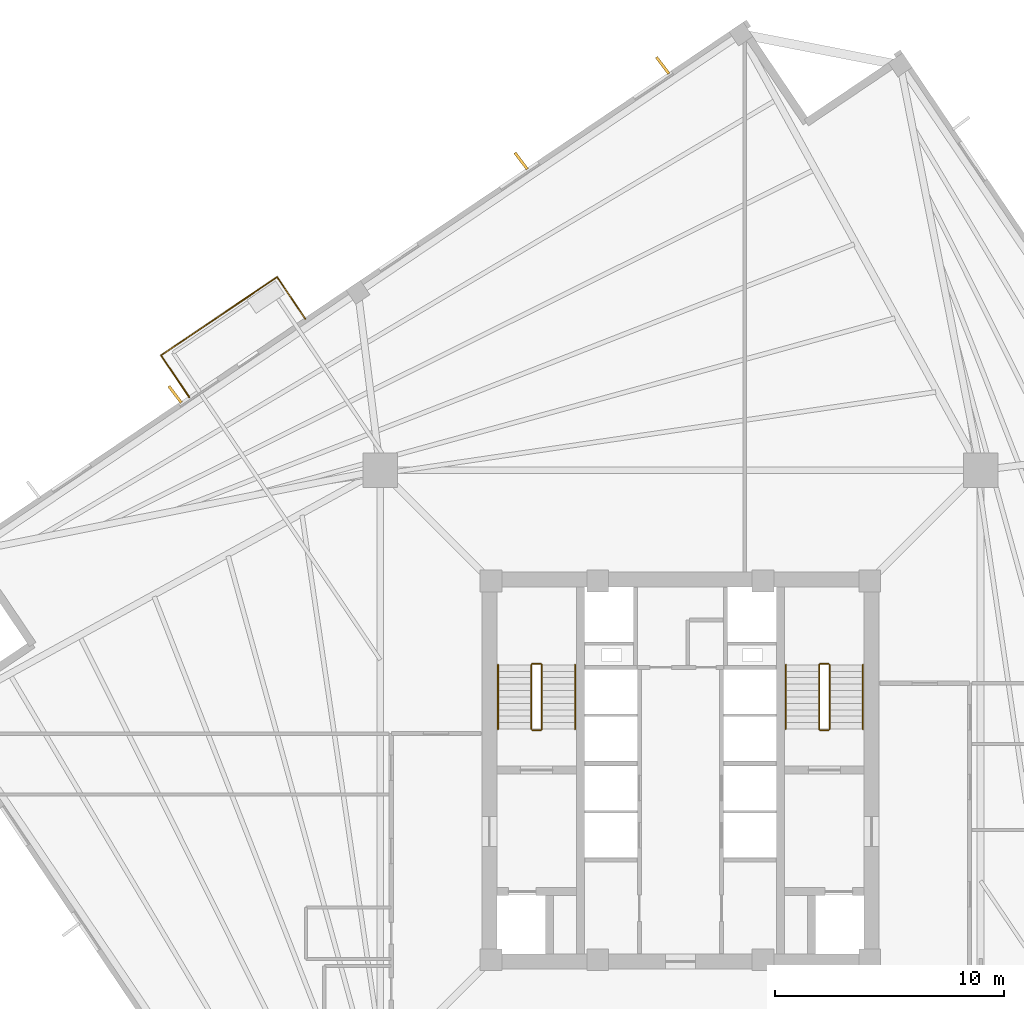
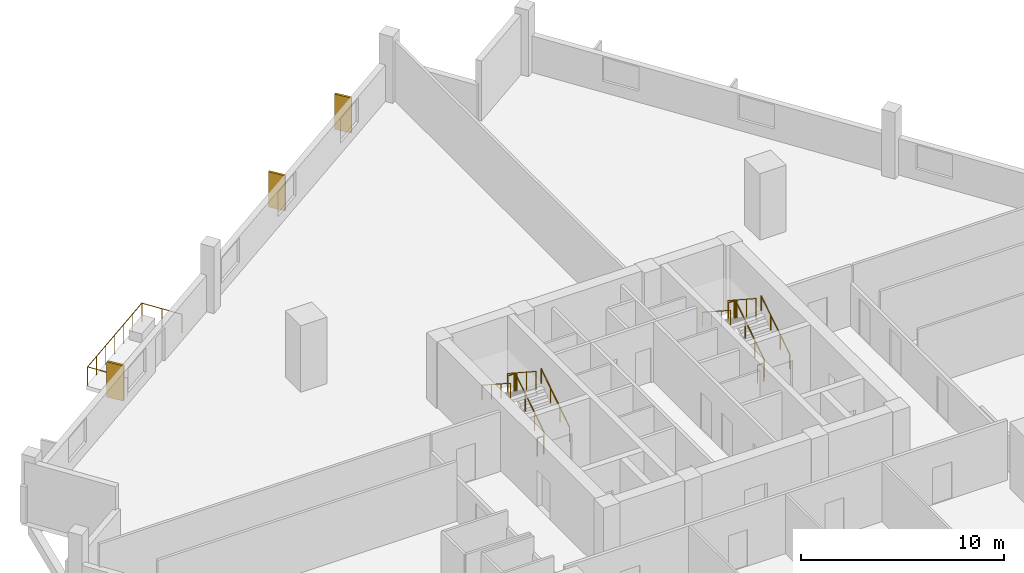
# One storey, part 7 of 8: 15 railings, 3 coverings.
"""IFC4 building model written with IfcOpenShell, lengths in metres."""

from ifc_helpers import new_model, si_unit, direction, frame, origin, origin_2d, place, context, subcontext, project, spatial, rectangle, circle, extrude, source, transform, mapped, material, layer, layer_set, type_object, element, save


model = new_model("IFC4")

# Units and contexts
model_context = context("Model", 3, precision=1e-05, world=origin(), true_north=direction((0.0, 1.0)))
body_context = subcontext(model_context, "Body", "Model", "MODEL_VIEW")
ifc_project = project(units=[si_unit("LENGTHUNIT", "METRE"), si_unit("AREAUNIT", "SQUARE_METRE"), si_unit("VOLUMEUNIT", "CUBIC_METRE"), si_unit("PLANEANGLEUNIT", "RADIAN"), si_unit("MASSUNIT", "GRAM", prefix="KILO"), si_unit("THERMODYNAMICTEMPERATUREUNIT", "KELVIN")], contexts=[model_context])

# Site, building, storey
site_placement = place(None, origin())
site = spatial("IfcSite", under=ifc_project, at=site_placement, CompositionType="ELEMENT")
building_placement = place(site_placement, origin())
building = spatial("IfcBuilding", under=site, at=building_placement, Name="Kosmvard Interchange Tower", CompositionType="ELEMENT")
storey_placement = place(building_placement, frame((0.0, 0.0, 196.39990234375)))
storey = spatial("IfcBuildingStorey", under=building, at=storey_placement, Name="L47", CompositionType="ELEMENT", Elevation=196.39990234375)

# Coverings
ifc_material_1 = material(Name="Architectural anodised aluminium", Category="aluminium")
ifc_layer = layer(ifc_material_1, 0.1201171875, Name="Architectural anodised aluminium")
ifc_layer_set = layer_set([ifc_layer], Name="Architectural anodised aluminium")
covering_type = type_object("IfcCoveringType", Name="Rotating Vertical Sun-Breaker Fin 900x120 Aluminium", PredefinedType="CLADDING", material=ifc_layer_set)
shared_shape_1 = source(origin(), body_context, "Body", "SweptSolid", [
    extrude(rectangle(XDim=0.89990234375, YDim=0.1201171875, at=origin_2d()), origin(), (0.0, 0.0, 1.0), 2.1201171875),
])
for number, where, z_axis, x_axis, name in (
    (1, (-0.774169921875, 30.718994140625, 0.0400390625), (0.0, 0.0, 1.0), (-0.60083885691, 0.799370169588, 0.0), "L47 Rotating Vertical Sun-Breaker Fin 09"),
    (2, (-6.943115234375, 26.557861328125, 0.0400390625), (0.0, 0.0, 1.0), (-0.60083885691, 0.799370169588, 0.0), "L47 Rotating Vertical Sun-Breaker Fin 10"),
    (3, (-22.02294921875, 16.38623046875, 0.0400390625), (0.0, 0.0, 1.0), (-0.60083885691, 0.799370169588, 0.0), "L47 Rotating Vertical Sun-Breaker Fin 11"),
):
    element("IfcCovering", number, at=place(storey_placement, frame(where, z_axis=z_axis, x_axis=x_axis)), inside=storey, type_object=covering_type, Name=name, PredefinedType="CLADDING", context=body_context, shape_type="MappedRepresentation", body=[
        mapped(shared_shape_1, transform((0.0, 0.0, 0.0), scale=1.0)),
    ])

# Railings
ifc_material_2 = material(Name="Steel S355", Category="steel")
railing_type_1 = type_object("IfcRailingType", Name="Observation & Balcony Glass-Infill Balustrade 1150", PredefinedType="BALUSTRADE", material=ifc_material_2)
shared_shape_2 = source(origin(), body_context, "Body", "SweptSolid", [
    extrude(circle(Radius=0.02392578125, at=origin_2d()), frame((0.0, 0.0, 1.1259765625), z_axis=(0.559173597279, -0.829050594418, 0.0), x_axis=(0.829050594418, 0.559173597279, 0.0)), (0.0, 0.0, 1.0), 2.2001953125),
    extrude(circle(Radius=0.02099609375, at=origin_2d()), origin(), (0.0, 0.0, 1.0), 1.101806640625),
    extrude(circle(Radius=0.02099609375, at=origin_2d()), frame((0.615234375, -0.912109375, 0.0)), (0.0, 0.0, 1.0), 1.101806640625),
    extrude(circle(Radius=0.02099609375, at=origin_2d()), frame((1.230224609375, -1.823974609375, 0.0)), (0.0, 0.0, 1.0), 1.101806640625),
])
railing_1_placement = place(storey_placement, frame((-22.6328125, 18.0859375, 0.0)))
element("IfcRailing", 4, at=railing_1_placement, inside=storey, type_object=railing_type_1, Name="L47 Outdoor Terrace Guard BAL-L47-NE-C", PredefinedType="BALUSTRADE", context=body_context, shape_type="MappedRepresentation", body=[
    mapped(shared_shape_2, transform((0.0, 0.0, 0.0), scale=1.0)),
])
shared_shape_3 = source(origin(), body_context, "Body", "SweptSolid", [
    extrude(circle(Radius=0.02392578125, at=origin_2d()), frame((0.0, 0.0, 1.1259765625), z_axis=(-0.559173597279, 0.829050594418, 0.0), x_axis=(-0.829050594418, -0.559173597279, 0.0)), (0.0, 0.0, 1.0), 2.2001953125),
    extrude(circle(Radius=0.02099609375, at=origin_2d()), origin(), (0.0, 0.0, 1.0), 1.101806640625),
    extrude(circle(Radius=0.02099609375, at=origin_2d()), frame((-0.615234375, 0.912109375, 0.0)), (0.0, 0.0, 1.0), 1.101806640625),
    extrude(circle(Radius=0.02099609375, at=origin_2d()), frame((-1.230224609375, 1.823974609375, 0.0)), (0.0, 0.0, 1.0), 1.101806640625),
])
railing_2_placement = place(storey_placement, frame((-16.345458984375, 19.673095703125, 0.0)))
element("IfcRailing", 5, at=railing_2_placement, inside=storey, type_object=railing_type_1, Name="L47 Outdoor Terrace Guard BAL-L47-NE-A", PredefinedType="BALUSTRADE", context=body_context, shape_type="MappedRepresentation", body=[
    mapped(shared_shape_3, transform((0.0, 0.0, 0.0), scale=1.0)),
])
shared_shape_4 = source(origin(), body_context, "Body", "SweptSolid", [
    extrude(circle(Radius=0.02392578125, at=origin_2d()), frame((0.0, 0.0, 1.1259765625), z_axis=(-0.829033294248, -0.55919924627, 0.0), x_axis=(0.55919924627, -0.829033294248, 0.0)), (0.0, 0.0, 1.0), 6.10009765625),
    extrude(circle(Radius=0.02099609375, at=origin_2d()), origin(), (0.0, 0.0, 1.0), 1.101806640625),
    extrude(circle(Radius=0.02099609375, at=origin_2d()), frame((-0.8427734375, -0.568603515625, 0.0)), (0.0, 0.0, 1.0), 1.101806640625),
    extrude(circle(Radius=0.02099609375, at=origin_2d()), frame((-1.685791015625, -1.136962890625, 0.0)), (0.0, 0.0, 1.0), 1.101806640625),
    extrude(circle(Radius=0.02099609375, at=origin_2d()), frame((-2.528564453125, -1.70556640625, 0.0)), (0.0, 0.0, 1.0), 1.101806640625),
    extrude(circle(Radius=0.02099609375, at=origin_2d()), frame((-3.371337890625, -2.274169921875, 0.0)), (0.0, 0.0, 1.0), 1.101806640625),
    extrude(circle(Radius=0.02099609375, at=origin_2d()), frame((-4.21435546875, -2.842529296875, 0.0)), (0.0, 0.0, 1.0), 1.101806640625),
    extrude(circle(Radius=0.02099609375, at=origin_2d()), frame((-5.05712890625, -3.4111328125, 0.0)), (0.0, 0.0, 1.0), 1.101806640625),
])
railing_3_placement = place(storey_placement, frame((-17.57568359375, 21.4970703125, 0.0)))
element("IfcRailing", 6, at=railing_3_placement, inside=storey, type_object=railing_type_1, Name="L47 Outdoor Terrace Guard BAL-L47-NE-B", PredefinedType="BALUSTRADE", context=body_context, shape_type="MappedRepresentation", body=[
    mapped(shared_shape_4, transform((0.0, 0.0, 0.0), scale=1.0)),
])
railing_type_2 = type_object("IfcRailingType", Name="Stair & Terrace Safety Guardrail 1100 Steel", PredefinedType="GUARDRAIL", material=ifc_material_2)
shared_shape_5 = source(origin(), body_context, "Body", "SweptSolid", [
    extrude(circle(Radius=0.02392578125, at=origin_2d()), frame((0.0, 0.0, 1.076171875), z_axis=(-1.0, 0.0, 0.0), x_axis=(0.0, -1.0, 0.0)), (0.0, 0.0, 1.0), 0.35986328125),
    extrude(circle(Radius=0.02099609375, at=origin_2d()), origin(), (0.0, 0.0, 1.0), 1.052001953125),
    extrude(circle(Radius=0.02099609375, at=origin_2d()), frame((-0.35986328125, 0.0, 0.0)), (0.0, 0.0, 1.0), 1.052001953125),
])
for number, where, name in (
    (7, (-6.090087890625, 4.64990234375, 2.0), "L47 ST-1 stair guard 2"),
    (8, (-6.090087890625, 1.75, 0.0), "L47 ST-1 stair guard 4"),
    (9, (6.449951171875, 4.64990234375, 2.0), "L47 ST-2 stair guard 2"),
    (10, (6.449951171875, 1.75, 0.0), "L47 ST-2 stair guard 4"),
):
    element("IfcRailing", number, at=place(storey_placement, frame(where)), inside=storey, type_object=railing_type_2, Name=name, PredefinedType="GUARDRAIL", context=body_context, shape_type="MappedRepresentation", body=[
        mapped(shared_shape_5, transform((0.0, 0.0, 0.0), scale=1.0)),
    ])
shared_shape_6 = source(origin(), body_context, "Body", "SweptSolid", [
    extrude(circle(Radius=0.02392578125, at=origin_2d()), frame((0.0, 0.0, 1.076171875), z_axis=(0.0, 0.838705829183, 0.544584733623), x_axis=(-1.0, 0.0, 0.0)), (0.0, 0.0, 1.0), 3.338623046875),
    extrude(circle(Radius=0.02099609375, at=origin_2d()), origin(), (0.0, 0.0, 1.0), 1.052001953125),
    extrude(circle(Radius=0.02099609375, at=origin_2d()), frame((0.0, 0.933349609375, 0.60595703125)), (0.0, 0.0, 1.0), 1.052001953125),
    extrude(circle(Radius=0.02099609375, at=origin_2d()), frame((0.0, 1.86669921875, 1.212158203125)), (0.0, 0.0, 1.0), 1.052001953125),
    extrude(circle(Radius=0.02099609375, at=origin_2d()), frame((0.0, 2.800048828125, 1.818115234375)), (0.0, 0.0, 1.0), 1.052001953125),
])
for number, where, name in (
    (11, (-6.0400390625, 1.800048828125, 0.181884765625), "L47 ST-1 stair guard 1"),
    (12, (6.5, 1.800048828125, 0.181884765625), "L47 ST-2 stair guard 1"),
):
    element("IfcRailing", number, at=place(storey_placement, frame(where)), inside=storey, type_object=railing_type_2, Name=name, PredefinedType="GUARDRAIL", context=body_context, shape_type="MappedRepresentation", body=[
        mapped(shared_shape_6, transform((0.0, 0.0, 0.0), scale=1.0)),
    ])
shared_shape_7 = source(origin(), body_context, "Body", "SweptSolid", [
    extrude(circle(Radius=0.02392578125, at=origin_2d()), frame((0.0, 0.0, 1.076171875), z_axis=(0.0, -0.838705829183, 0.544584733623), x_axis=(1.0, 0.0, 0.0)), (0.0, 0.0, 1.0), 3.338623046875),
    extrude(circle(Radius=0.02099609375, at=origin_2d()), origin(), (0.0, 0.0, 1.0), 1.052001953125),
    extrude(circle(Radius=0.02099609375, at=origin_2d()), frame((0.0, -0.933349609375, 0.60595703125)), (0.0, 0.0, 1.0), 1.052001953125),
    extrude(circle(Radius=0.02099609375, at=origin_2d()), frame((0.0, -1.86669921875, 1.212158203125)), (0.0, 0.0, 1.0), 1.052001953125),
    extrude(circle(Radius=0.02099609375, at=origin_2d()), frame((0.0, -2.800048828125, 1.818115234375)), (0.0, 0.0, 1.0), 1.052001953125),
])
for number, where, name in (
    (13, (-6.5, 4.60009765625, 2.181884765625), "L47 ST-1 stair guard 3"),
    (14, (6.0400390625, 4.60009765625, 2.181884765625), "L47 ST-2 stair guard 3"),
):
    element("IfcRailing", number, at=place(storey_placement, frame(where)), inside=storey, type_object=railing_type_2, Name=name, PredefinedType="GUARDRAIL", context=body_context, shape_type="MappedRepresentation", body=[
        mapped(shared_shape_7, transform((0.0, 0.0, 0.0), scale=1.0)),
    ])
railing_type_3 = type_object("IfcRailingType", Name="Wall-Mounted Stair Handrail 900 Steel", PredefinedType="HANDRAIL", material=ifc_material_2)
shared_shape_8 = source(origin(), body_context, "Body", "SweptSolid", [
    extrude(circle(Radius=0.02392578125, at=origin_2d()), frame((0.0, 0.0, 0.8759765625), z_axis=(0.0, 0.838705829183, 0.544584733623), x_axis=(-1.0, 0.0, 0.0)), (0.0, 0.0, 1.0), 3.338623046875),
    extrude(circle(Radius=0.02099609375, at=origin_2d()), origin(), (0.0, 0.0, 1.0), 0.851806640625),
    extrude(circle(Radius=0.02099609375, at=origin_2d()), frame((0.0, 0.933349609375, 0.60595703125)), (0.0, 0.0, 1.0), 0.851806640625),
    extrude(circle(Radius=0.02099609375, at=origin_2d()), frame((0.0, 1.86669921875, 1.212158203125)), (0.0, 0.0, 1.0), 0.851806640625),
    extrude(circle(Radius=0.02099609375, at=origin_2d()), frame((0.0, 2.800048828125, 1.818115234375)), (0.0, 0.0, 1.0), 0.851806640625),
])
for number, where, name in (
    (15, (-4.590087890625, 1.800048828125, 0.181884765625), "L47 ST-1 stair handrail 1"),
    (16, (7.949951171875, 1.800048828125, 0.181884765625), "L47 ST-2 stair handrail 1"),
):
    element("IfcRailing", number, at=place(storey_placement, frame(where)), inside=storey, type_object=railing_type_3, Name=name, PredefinedType="HANDRAIL", context=body_context, shape_type="MappedRepresentation", body=[
        mapped(shared_shape_8, transform((0.0, 0.0, 0.0), scale=1.0)),
    ])
shared_shape_9 = source(origin(), body_context, "Body", "SweptSolid", [
    extrude(circle(Radius=0.02392578125, at=origin_2d()), frame((0.0, 0.0, 0.8759765625), z_axis=(0.0, -0.838705829183, 0.544584733623), x_axis=(1.0, 0.0, 0.0)), (0.0, 0.0, 1.0), 3.338623046875),
    extrude(circle(Radius=0.02099609375, at=origin_2d()), origin(), (0.0, 0.0, 1.0), 0.851806640625),
    extrude(circle(Radius=0.02099609375, at=origin_2d()), frame((0.0, -0.933349609375, 0.60595703125)), (0.0, 0.0, 1.0), 0.851806640625),
    extrude(circle(Radius=0.02099609375, at=origin_2d()), frame((0.0, -1.86669921875, 1.212158203125)), (0.0, 0.0, 1.0), 0.851806640625),
    extrude(circle(Radius=0.02099609375, at=origin_2d()), frame((0.0, -2.800048828125, 1.818115234375)), (0.0, 0.0, 1.0), 0.851806640625),
])
for number, where, name in (
    (17, (-7.949951171875, 4.60009765625, 2.181884765625), "L47 ST-1 stair handrail 2"),
    (18, (4.590087890625, 4.60009765625, 2.181884765625), "L47 ST-2 stair handrail 2"),
):
    element("IfcRailing", number, at=place(storey_placement, frame(where)), inside=storey, type_object=railing_type_3, Name=name, PredefinedType="HANDRAIL", context=body_context, shape_type="MappedRepresentation", body=[
        mapped(shared_shape_9, transform((0.0, 0.0, 0.0), scale=1.0)),
    ])

save(model, "model.ifc")
